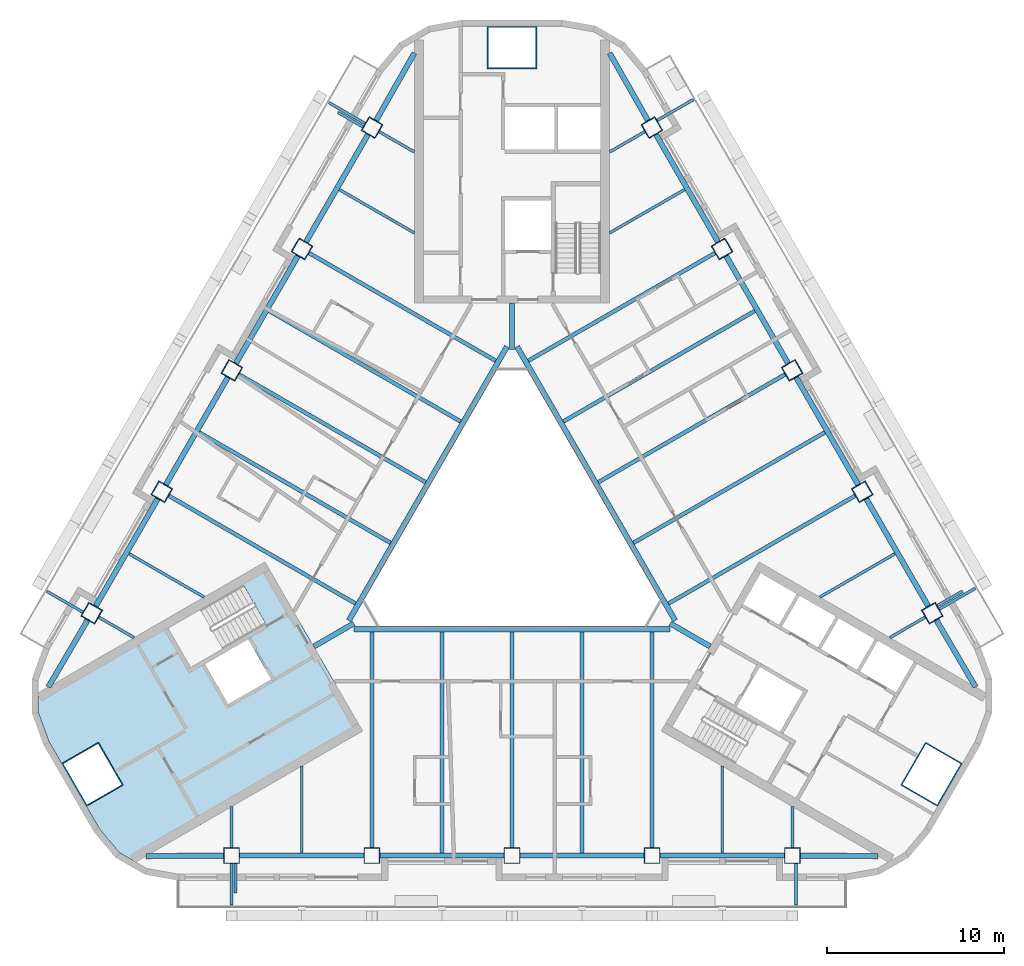
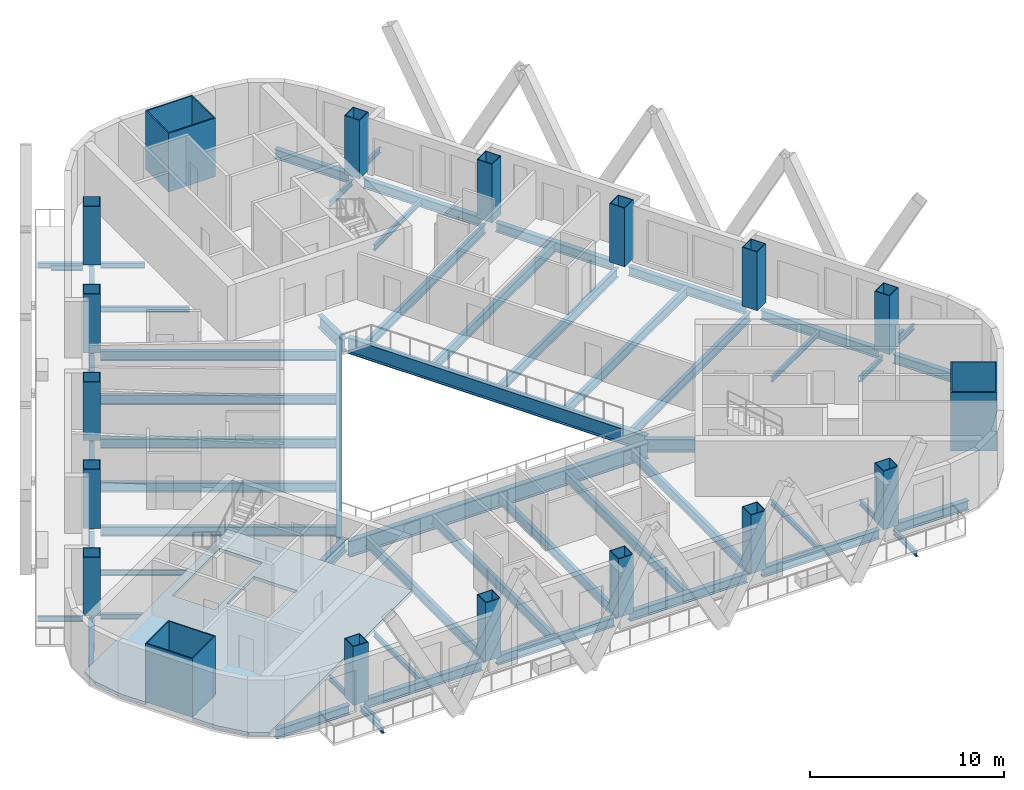
# One storey, part 1 of 14: 60 beams, 18 columns, 1 slab.
"""IFC4 building model written with IfcOpenShell, lengths in metres."""

import ifcopenshell
import ifcopenshell.guid

model = None  # the IFC model being written
_history = None  # IfcOwnerHistory: only IFC2X3 demands one
_inside = {}  # id of a spatial element -> (the spatial element, [elements in it])
_under = {}  # id of a project, library or spatial element -> (it, [spatial elements below it])
_declared = {}  # id of a project -> (the project, [libraries it declares])
_typed = {}  # id of a type object -> (the type object, [elements of that type])
_made_of = {}  # id of a material, layer set ... -> (it, [elements and type objects made of it])


def new_model(schema):
    """Start an empty IFC model of exactly this schema.

    Asked for "IFC4X3", IfcOpenShell would pick the latest addendum, in which some entities
    have other attributes; the version numbers below select the first issue.
    IFC2X3 requires an IfcOwnerHistory on every rooted entity: one is made here for all.
    """
    global model, _history
    if schema == "IFC4X3":
        model = ifcopenshell.file(schema_version=(4, 3, 0, 0))
    else:
        model = ifcopenshell.file(schema=schema)
    _inside.clear()
    _under.clear()
    _declared.clear()
    _typed.clear()
    _made_of.clear()
    _history = None
    if model.schema == "IFC2X3":
        org = make("IfcOrganization", Name="unknown")
        user = make(
            "IfcPersonAndOrganization",
            ThePerson=make("IfcPerson", FamilyName="unknown"),
            TheOrganization=org,
        )
        app = make(
            "IfcApplication",
            ApplicationDeveloper=org,
            Version="unknown",
            ApplicationFullName="unknown",
            ApplicationIdentifier="unknown",
        )
        _history = make(
            "IfcOwnerHistory",
            OwningUser=user,
            OwningApplication=app,
            ChangeAction="ADDED",
            CreationDate=0,
        )
    return model


def make(cls, **values):
    """One entity of the class cls with the attributes given. An attribute that is None is left unset."""
    return model.create_entity(
        cls, **{name: value for name, value in values.items() if value is not None}
    )


def rooted(cls, **values):
    """An entity with a GlobalId (a new one), such as an element, a storey or a relation."""
    return make(cls, GlobalId=ifcopenshell.guid.new(), OwnerHistory=_history, **values)


def si_unit(unit_type, name, prefix=None):
    """IfcSIUnit, for example si_unit("LENGTHUNIT", "METRE", prefix="MILLI")."""
    return make("IfcSIUnit", UnitType=unit_type, Prefix=prefix, Name=name)


def assignment(units):
    """IfcUnitAssignment: the units of a project."""
    return None if units is None else make("IfcUnitAssignment", Units=units)


def point(xyz):
    """IfcCartesianPoint."""
    return None if xyz is None else make("IfcCartesianPoint", Coordinates=xyz)


def direction(xyz):
    """IfcDirection."""
    return None if xyz is None else make("IfcDirection", DirectionRatios=xyz)


def frame(location, z_axis=None, x_axis=None):
    """IfcAxis2Placement3D, a coordinate frame: its origin and axes. An axis left out is left unset."""
    return make(
        "IfcAxis2Placement3D",
        Location=point(location),
        Axis=direction(z_axis),
        RefDirection=direction(x_axis),
    )


def frame_2d(location, x_axis=None):
    """IfcAxis2Placement2D, a coordinate frame in the plane: its origin and x axis."""
    return make(
        "IfcAxis2Placement2D", Location=point(location), RefDirection=direction(x_axis)
    )


def origin():
    """The frame at (0, 0, 0) with its axes left unset."""
    return frame((0.0, 0.0, 0.0))


def origin_2d():
    """The frame at (0, 0) in the plane with its x axis left unset."""
    return frame_2d((0.0, 0.0))


def place(relative_to, where):
    """IfcLocalPlacement: puts the frame where relative to a parent placement (None: the world)."""
    return make(
        "IfcLocalPlacement", PlacementRelTo=relative_to, RelativePlacement=where
    )


def context(
    kind, dimensions, precision=None, world=None, true_north=None, identifier=None
):
    """IfcGeometricRepresentationContext, for example the 3D "Model" context."""
    return make(
        "IfcGeometricRepresentationContext",
        ContextIdentifier=identifier,
        ContextType=kind,
        CoordinateSpaceDimension=dimensions,
        Precision=precision,
        WorldCoordinateSystem=world,
        TrueNorth=true_north,
    )


def subcontext(parent, identifier, kind, view, scale=None):
    """IfcGeometricRepresentationSubContext, for example "Body" below "Model"."""
    return make(
        "IfcGeometricRepresentationSubContext",
        ContextIdentifier=identifier,
        ContextType=kind,
        ParentContext=parent,
        TargetScale=scale,
        TargetView=view,
    )


def project(units=None, contexts=None):
    """IfcProject with its units and contexts."""
    return rooted(
        "IfcProject",
        Name="project",
        RepresentationContexts=contexts,
        UnitsInContext=assignment(units),
    )


def spatial(cls, under=None, at=None, **own):
    """A site, building, storey or space (cls), placed at a placement, below another one or the project."""
    s = rooted(cls, ObjectPlacement=at, **own)
    if under is not None:
        _under.setdefault(under.id(), (under, []))[1].append(s)
    return s


def polyline(points):
    """IfcPolyline through the points."""
    return make("IfcPolyline", Points=[point(p) for p in points])


def profile(cls, at=None, kind="AREA", **sizes):
    """A parametric profile (cls). Its sizes go by their IFC names, for example OverallWidth=200.0."""
    return make(cls, ProfileType=kind, Position=at, **sizes)


def rectangle(**sizes):
    """IfcRectangleProfileDef."""
    return profile("IfcRectangleProfileDef", **sizes)


def hollow_rectangle(**sizes):
    """IfcRectangleHollowProfileDef."""
    return profile("IfcRectangleHollowProfileDef", **sizes)


def i_section(**sizes):
    """IfcIShapeProfileDef."""
    return profile("IfcIShapeProfileDef", **sizes)


def outline(outer, holes=None, kind="AREA"):
    """IfcArbitraryClosedProfileDef: a profile drawn as a closed curve; with holes, ...WithVoids."""
    if holes is None:
        return make("IfcArbitraryClosedProfileDef", ProfileType=kind, OuterCurve=outer)
    return make(
        "IfcArbitraryProfileDefWithVoids",
        ProfileType=kind,
        OuterCurve=outer,
        InnerCurves=holes,
    )


def extrude(swept, where, along, depth):
    """IfcExtrudedAreaSolid: the profile swept, set in the frame where, extruded along a direction by depth."""
    return make(
        "IfcExtrudedAreaSolid",
        SweptArea=swept,
        Position=where,
        ExtrudedDirection=direction(along),
        Depth=depth,
    )


def shape(context_of_items, identifier, shape_type, items):
    """IfcShapeRepresentation: the items that make up one representation, for example the "Body"."""
    return make(
        "IfcShapeRepresentation",
        ContextOfItems=context_of_items,
        RepresentationIdentifier=identifier,
        RepresentationType=shape_type,
        Items=items,
    )


def material(Name=None, Category=None):
    """IfcMaterial."""
    return make("IfcMaterial", Name=Name, Category=Category)


def layer(
    of_material, thickness, ventilated=None, Name=None, Category=None, Priority=None
):
    """IfcMaterialLayer: one layer of a wall or slab, of a material (None: an air gap)."""
    return make(
        "IfcMaterialLayer",
        Material=of_material,
        LayerThickness=thickness,
        IsVentilated=ventilated,
        Name=Name,
        Category=Category,
        Priority=Priority,
    )


def layer_set(layers, Name=None):
    """IfcMaterialLayerSet."""
    return make("IfcMaterialLayerSet", MaterialLayers=layers, LayerSetName=Name)


def material_profile(
    of_material, cross_section, Name=None, Category=None, Priority=None
):
    """IfcMaterialProfile: a cross section and its material."""
    return make(
        "IfcMaterialProfile",
        Name=Name,
        Material=of_material,
        Profile=cross_section,
        Priority=Priority,
        Category=Category,
    )


def profile_set(profiles, Name=None, composite=None):
    """IfcMaterialProfileSet."""
    return make(
        "IfcMaterialProfileSet",
        Name=Name,
        MaterialProfiles=profiles,
        CompositeProfile=composite,
    )


def made_of(thing, what):
    """Note that an element or type object is made of a material, layer set ...; save() writes the relation."""
    if what is not None:
        _made_of.setdefault(what.id(), (what, []))[1].append(thing)
    return thing


def type_object(cls, material=None, **own):
    """A type object (cls), such as IfcWallType, which elements share."""
    return made_of(rooted(cls, **own), material)


def element(
    cls,
    number,
    at=None,
    inside=None,
    cuts=None,
    type_object=None,
    material=None,
    context=None,
    identifier="Body",
    shape_type=None,
    held_by="IfcProductDefinitionShape",
    body=None,
    shapes=None,
    **own,
):
    """One element of the class cls, such as IfcWall. Its Tag is "e" and its number.

    at: its placement. inside: the storey or other place that contains it. cuts: it is an
    opening in that element (IfcRelVoidsElement). A single representation is given by context,
    identifier, shape_type and body (its items); several are given by shapes. held_by: the class
    of the entity that holds the representations. save() writes the other relations.
    """
    e = rooted(cls, Tag="e%d" % number, ObjectPlacement=at, **own)
    if body is not None:
        shapes = [shape(context, identifier, shape_type, body)]
    if shapes is not None:
        e.Representation = make(held_by, Representations=shapes)
    if inside is not None:
        _inside.setdefault(inside.id(), (inside, []))[1].append(e)
    if cuts is not None:
        rooted(
            "IfcRelVoidsElement", RelatingBuildingElement=cuts, RelatedOpeningElement=e
        )
    if type_object is not None:
        _typed.setdefault(type_object.id(), (type_object, []))[1].append(e)
    return made_of(e, material)


def aggregate(whole, parts):
    """IfcRelAggregates: a whole, such as a stair, and the parts it consists of."""
    return rooted("IfcRelAggregates", RelatingObject=whole, RelatedObjects=parts)


def save(model, path):
    """Write the relations noted so far, then the file.

    IfcRelAggregates (storeys below a building ...), IfcRelContainedInSpatialStructure (elements
    in a storey), IfcRelDefinesByType, IfcRelAssociatesMaterial and IfcRelDeclares: one each for
    every whole, place, type object, material and project.
    """
    for whole, parts in _under.values():
        aggregate(whole, parts)
    for where, things in _inside.values():
        rooted(
            "IfcRelContainedInSpatialStructure",
            RelatedElements=things,
            RelatingStructure=where,
        )
    for kind, things in _typed.values():
        rooted("IfcRelDefinesByType", RelatedObjects=things, RelatingType=kind)
    for what, things in _made_of.values():
        rooted("IfcRelAssociatesMaterial", RelatedObjects=things, RelatingMaterial=what)
    for by, libraries in _declared.values():
        rooted("IfcRelDeclares", RelatingContext=by, RelatedDefinitions=libraries)
    model.write(path)


model = new_model("IFC4")

# Units and contexts
model_context = context("Model", 3, precision=1e-05, world=origin(), true_north=direction((0.0, 1.0)))
body_context = subcontext(model_context, "Body", "Model", "MODEL_VIEW")
ifc_project = project(units=[si_unit("LENGTHUNIT", "METRE"), si_unit("AREAUNIT", "SQUARE_METRE"), si_unit("VOLUMEUNIT", "CUBIC_METRE"), si_unit("PLANEANGLEUNIT", "RADIAN"), si_unit("MASSUNIT", "GRAM", prefix="KILO")], contexts=[model_context])

# Site, building, storey
site_placement = place(None, origin())
site = spatial("IfcSite", under=ifc_project, at=site_placement, CompositionType="ELEMENT")
building_placement = place(site_placement, origin())
building = spatial("IfcBuilding", under=site, at=building_placement, Name="Apuvela Tower Hotel", CompositionType="ELEMENT")
storey_placement = place(building_placement, frame((0.0, 0.0, 98.300048828125)))
storey = spatial("IfcBuildingStorey", under=building, at=storey_placement, Name="L22", CompositionType="ELEMENT", Elevation=98.300048828125)

# Columns
ifc_material_1 = material(Name="Steel S460", Category="steel")
ifc_material_profile_1 = material_profile(ifc_material_1, hollow_rectangle(XDim=2.800048828125, YDim=2.39990234375, WallThickness=0.070068359375, at=origin_2d()), Name="BOX 2800x2400x70")
ifc_material_2 = material(Name="Concrete C80/95", Category="concrete")
ifc_material_profile_2 = material_profile(ifc_material_2, rectangle(XDim=2.659912109375, YDim=2.260009765625, at=origin_2d()), Name="Concrete C80/95 infill")
ifc_profile_set_1 = profile_set([ifc_material_profile_1, ifc_material_profile_2], Name="Steel S460")
column_type_1 = type_object("IfcColumnType", Name="STR-MC mega column BOX 2800x2400x70", PredefinedType="COLUMN", material=ifc_profile_set_1)
for number, where, z_axis, x_axis, name in (
    (1, (0.0, 27.300048828125, 0.0), (0.0, 0.0, 1.0), (1.0, 0.0, 0.0), "Mega column MC2 N"),
    (2, (-23.642578125, -13.64990234375, 0.0), (0.0, 0.0, 1.0), (-0.5, 0.866025403784, 0.0), "Mega column MC2 SW"),
    (3, (23.642578125, -13.64990234375, 0.0), (0.0, 0.0, 1.0), (0.5, 0.866025403784, 0.0), "Mega column MC2 SE"),
):
    element("IfcColumn", number, at=place(storey_placement, frame(where, z_axis=z_axis, x_axis=x_axis)), inside=storey, type_object=column_type_1, Name=name, PredefinedType="COLUMN", context=body_context, shape_type="SweptSolid", body=[
        extrude(hollow_rectangle(XDim=2.800048828125, YDim=2.39990234375, WallThickness=0.070068359375, at=origin_2d()), origin(), (0.0, 0.0, 1.0), 3.699951171875),
    ])
ifc_material_profile_3 = material_profile(ifc_material_1, hollow_rectangle(XDim=0.89990234375, YDim=0.89990234375, WallThickness=0.0400390625, at=origin_2d()), Name="BOX 900x900x40")
ifc_material_profile_4 = material_profile(ifc_material_2, rectangle(XDim=0.820068359375, YDim=0.820068359375, at=origin_2d()), Name="Concrete C80/95 infill")
ifc_profile_set_2 = profile_set([ifc_material_profile_3, ifc_material_profile_4], Name="Steel S460")
column_type_2 = type_object("IfcColumnType", Name="STR-PC perimeter column BOX 900x900x40", PredefinedType="COLUMN", material=ifc_profile_set_2)
for number, where, z_axis, x_axis, name in (
    (4, (-15.800048828125, -18.22998046875, 0.0), (0.0, 0.0, 1.0), (-1.0, 0.0, 0.0), "Perimeter column C3 S1"),
    (5, (-7.89990234375, -18.22998046875, 0.0), (0.0, 0.0, 1.0), (-1.0, 0.0, 0.0), "Perimeter column C3 S2"),
    (6, (0.0, -18.22998046875, 0.0), (0.0, 0.0, 1.0), (-1.0, 0.0, 0.0), "Perimeter column C3 S3"),
    (7, (7.89990234375, -18.22998046875, 0.0), (0.0, 0.0, 1.0), (-1.0, 0.0, 0.0), "Perimeter column C3 S4"),
    (8, (15.800048828125, -18.22998046875, 0.0), (0.0, 0.0, 1.0), (-1.0, 0.0, 0.0), "Perimeter column C3 S5"),
    (9, (23.6875, -4.568115234375, 0.0), (0.0, 0.0, 1.0), (-0.5, 0.866025403784, 0.0), "Perimeter column C3 NE1"),
    (10, (19.737548828125, 2.2734375, 0.0), (0.0, 0.0, 1.0), (-0.5, 0.866025403784, 0.0), "Perimeter column C3 NE2"),
    (11, (15.78759765625, 9.114990234375, 0.0), (0.0, 0.0, 1.0), (-0.5, 0.866025403784, 0.0), "Perimeter column C3 NE3"),
    (12, (11.837646484375, 15.95654296875, 0.0), (0.0, 0.0, 1.0), (-0.5, 0.866025403784, 0.0), "Perimeter column C3 NE4"),
    (13, (7.8876953125, 22.798095703125, 0.0), (0.0, 0.0, 1.0), (-0.5, 0.866025403784, 0.0), "Perimeter column C3 NE5"),
    (14, (-7.8876953125, 22.798095703125, 0.0), (0.0, 0.0, 1.0), (0.5, 0.866025403784, 0.0), "Perimeter column C3 NW1"),
    (15, (-11.837646484375, 15.95654296875, 0.0), (0.0, 0.0, 1.0), (0.5, 0.866025403784, 0.0), "Perimeter column C3 NW2"),
    (16, (-15.78759765625, 9.114990234375, 0.0), (0.0, 0.0, 1.0), (0.5, 0.866025403784, 0.0), "Perimeter column C3 NW3"),
    (17, (-19.737548828125, 2.2734375, 0.0), (0.0, 0.0, 1.0), (0.5, 0.866025403784, 0.0), "Perimeter column C3 NW4"),
    (18, (-23.6875, -4.568115234375, 0.0), (0.0, 0.0, 1.0), (0.5, 0.866025403784, 0.0), "Perimeter column C3 NW5"),
):
    element("IfcColumn", number, at=place(storey_placement, frame(where, z_axis=z_axis, x_axis=x_axis)), inside=storey, type_object=column_type_2, Name=name, PredefinedType="COLUMN", context=body_context, shape_type="SweptSolid", body=[
        extrude(hollow_rectangle(XDim=0.89990234375, YDim=0.89990234375, WallThickness=0.0400390625, at=origin_2d()), origin(), (0.0, 0.0, 1.0), 3.699951171875),
    ])

# Beams
ifc_material_3 = material(Name="Steel S355", Category="steel")
ifc_material_profile_5 = material_profile(ifc_material_3, i_section(OverallWidth=0.159912109375, OverallDepth=0.330078125, WebThickness=0.007568359375, FlangeThickness=0.011474609375, at=origin_2d()), Name="IPE 330")
ifc_profile_set_3 = profile_set([ifc_material_profile_5], Name="Steel S355")
beam_type_1 = type_object("IfcBeamType", Name="ENV-BALCONY-BEAM-IPE330", PredefinedType="BEAM", material=ifc_profile_set_3)
beam_1_placement = place(storey_placement, frame((-15.800048828125, -18.679931640625, -0.31494140625), z_axis=(0.0, -1.0, 0.0), x_axis=(1.0, 0.0, 0.0)))
element("IfcBeam", 19, at=beam_1_placement, inside=storey, type_object=beam_type_1, Name="Balcony cantilever beam S1 L22", PredefinedType="BEAM", context=body_context, shape_type="SweptSolid", body=[
    extrude(i_section(OverallWidth=0.159912109375, OverallDepth=0.330078125, WebThickness=0.007568359375, FlangeThickness=0.011474609375, at=origin_2d()), origin(), (0.0, 0.0, 1.0), 2.35009765625),
])
beam_2_placement = place(storey_placement, frame((-15.580078125, -18.679931640625, -0.31494140625), z_axis=(0.0, -1.0, 0.0), x_axis=(1.0, 0.0, 0.0)))
element("IfcBeam", 20, at=beam_2_placement, inside=storey, type_object=beam_type_1, Name="Balcony cantilever beam S2 L22", PredefinedType="BEAM", context=body_context, shape_type="SweptSolid", body=[
    extrude(i_section(OverallWidth=0.159912109375, OverallDepth=0.330078125, WebThickness=0.007568359375, FlangeThickness=0.011474609375, at=origin_2d()), origin(), (0.0, 0.0, 1.0), 1.650146484375),
])
for number, where, z_axis, x_axis, name in (
    (21, (16.0, -18.679931640625, -0.31494140625), (0.0, -1.0, 0.0), (1.0, 0.0, 0.0), "Balcony cantilever beam S3 L22"),
    (22, (24.077392578125, -4.34326171875, -0.31494140625), (0.866016039709, 0.500016218704, 0.0), (-0.500016218704, 0.866016039709, 0.0), "Balcony cantilever beam NE1 L22"),
):
    element("IfcBeam", number, at=place(storey_placement, frame(where, z_axis=z_axis, x_axis=x_axis)), inside=storey, type_object=beam_type_1, Name=name, PredefinedType="BEAM", context=body_context, shape_type="SweptSolid", body=[
        extrude(i_section(OverallWidth=0.159912109375, OverallDepth=0.330078125, WebThickness=0.007568359375, FlangeThickness=0.011474609375, at=origin_2d()), origin(), (0.0, 0.0, 1.0), 2.35009765625),
    ])
beam_3_placement = place(storey_placement, frame((23.96728515625, -4.152587890625, -0.31494140625), z_axis=(0.866040211805, 0.499974350878, 0.0), x_axis=(-0.499974350878, 0.866040211805, 0.0)))
element("IfcBeam", 23, at=beam_3_placement, inside=storey, type_object=beam_type_1, Name="Balcony cantilever beam NE2 L22", PredefinedType="BEAM", context=body_context, shape_type="SweptSolid", body=[
    extrude(i_section(OverallWidth=0.159912109375, OverallDepth=0.330078125, WebThickness=0.007568359375, FlangeThickness=0.011474609375, at=origin_2d()), origin(), (0.0, 0.0, 1.0), 1.64990234375),
])
beam_4_placement = place(storey_placement, frame((8.177490234375, 23.1962890625, -0.31494140625), z_axis=(0.865990062348, 0.500061208168, 0.0), x_axis=(-0.500061208168, 0.865990062348, 0.0)))
element("IfcBeam", 24, at=beam_4_placement, inside=storey, type_object=beam_type_1, Name="Balcony cantilever beam NE3 L22", PredefinedType="BEAM", context=body_context, shape_type="SweptSolid", body=[
    extrude(i_section(OverallWidth=0.159912109375, OverallDepth=0.330078125, WebThickness=0.007568359375, FlangeThickness=0.011474609375, at=origin_2d()), origin(), (0.0, 0.0, 1.0), 2.349853515625),
])
beam_5_placement = place(storey_placement, frame((-8.27734375, 23.023193359375, -0.31494140625), z_axis=(-0.866016039709, 0.500016218704, 0.0), x_axis=(-0.500016218704, -0.866016039709, 0.0)))
element("IfcBeam", 25, at=beam_5_placement, inside=storey, type_object=beam_type_1, Name="Balcony cantilever beam NW1 L22", PredefinedType="BEAM", context=body_context, shape_type="SweptSolid", body=[
    extrude(i_section(OverallWidth=0.159912109375, OverallDepth=0.330078125, WebThickness=0.007568359375, FlangeThickness=0.011474609375, at=origin_2d()), origin(), (0.0, 0.0, 1.0), 2.35009765625),
])
beam_6_placement = place(storey_placement, frame((-8.387451171875, 22.832763671875, -0.31494140625), z_axis=(-0.866040211805, 0.499974350878, 0.0), x_axis=(-0.499974350878, -0.866040211805, 0.0)))
element("IfcBeam", 26, at=beam_6_placement, inside=storey, type_object=beam_type_1, Name="Balcony cantilever beam NW2 L22", PredefinedType="BEAM", context=body_context, shape_type="SweptSolid", body=[
    extrude(i_section(OverallWidth=0.159912109375, OverallDepth=0.330078125, WebThickness=0.007568359375, FlangeThickness=0.011474609375, at=origin_2d()), origin(), (0.0, 0.0, 1.0), 1.64990234375),
])
beam_7_placement = place(storey_placement, frame((-24.177490234375, -4.516357421875, -0.31494140625), z_axis=(-0.865990062348, 0.500061208168, 0.0), x_axis=(-0.500061208168, -0.865990062348, 0.0)))
element("IfcBeam", 27, at=beam_7_placement, inside=storey, type_object=beam_type_1, Name="Balcony cantilever beam NW3 L22", PredefinedType="BEAM", context=body_context, shape_type="SweptSolid", body=[
    extrude(i_section(OverallWidth=0.159912109375, OverallDepth=0.330078125, WebThickness=0.007568359375, FlangeThickness=0.011474609375, at=origin_2d()), origin(), (0.0, 0.0, 1.0), 2.349853515625),
])
ifc_material_profile_6 = material_profile(ifc_material_3, i_section(OverallWidth=0.159912109375, OverallDepth=0.330078125, WebThickness=0.007568359375, FlangeThickness=0.011474609375, at=origin_2d()), Name="IPE 330")
ifc_profile_set_4 = profile_set([ifc_material_profile_6], Name="Steel S355")
beam_type_2 = type_object("IfcBeamType", Name="STR-B floor beam IPE 330", PredefinedType="BEAM", material=ifc_profile_set_4)
beam_8_placement = place(storey_placement, frame((23.2978515625, -4.793212890625, -0.31494140625), z_axis=(-0.866000531106, -0.500043078269, 0.0), x_axis=(0.500043078269, -0.866000531106, 0.0)))
element("IfcBeam", 28, at=beam_8_placement, inside=storey, type_object=beam_type_2, Name="Floor beam B1 NE1", PredefinedType="BEAM", context=body_context, shape_type="SweptSolid", body=[
    extrude(i_section(OverallWidth=0.159912109375, OverallDepth=0.330078125, WebThickness=0.007568359375, FlangeThickness=0.011474609375, at=origin_2d()), origin(), (0.0, 0.0, 1.0), 2.306884765625),
])
for number, where, z_axis, x_axis, name in (
    (29, (21.582763671875, -1.222412109375, -0.31494140625), (-0.866015056278, -0.500017921979, 0.0), (0.500017921979, -0.866015056278, 0.0), "Floor beam B1 NE2"),
    (30, (9.732666015625, 19.302490234375, -0.31494140625), (-0.866015056278, -0.500017921979, 0.0), (0.500017921979, -0.866015056278, 0.0), "Floor beam B1 NE8"),
):
    element("IfcBeam", number, at=place(storey_placement, frame(where, z_axis=z_axis, x_axis=x_axis)), inside=storey, type_object=beam_type_2, Name=name, PredefinedType="BEAM", context=body_context, shape_type="SweptSolid", body=[
        extrude(i_section(OverallWidth=0.159912109375, OverallDepth=0.330078125, WebThickness=0.007568359375, FlangeThickness=0.011474609375, at=origin_2d()), origin(), (0.0, 0.0, 1.0), 4.887451171875),
    ])
for number, where, z_axis, x_axis, name in (
    (31, (7.497802734375, 22.5732421875, -0.31494140625), (-0.866000531106, -0.500043078269, 0.0), (0.500043078269, -0.866000531106, 0.0), "Floor beam B1 NE9"),
    (32, (-7.497802734375, 22.5732421875, -0.31494140625), (0.866000531106, -0.500043078269, 0.0), (0.500043078269, 0.866000531106, 0.0), "Floor beam B1 NW1"),
):
    element("IfcBeam", number, at=place(storey_placement, frame(where, z_axis=z_axis, x_axis=x_axis)), inside=storey, type_object=beam_type_2, Name=name, PredefinedType="BEAM", context=body_context, shape_type="SweptSolid", body=[
        extrude(i_section(OverallWidth=0.159912109375, OverallDepth=0.330078125, WebThickness=0.007568359375, FlangeThickness=0.011474609375, at=origin_2d()), origin(), (0.0, 0.0, 1.0), 2.306884765625),
    ])
for number, where, z_axis, x_axis, name in (
    (33, (-9.732666015625, 19.302490234375, -0.31494140625), (0.866015056278, -0.500017921979, 0.0), (0.500017921979, 0.866015056278, 0.0), "Floor beam B1 NW2"),
    (34, (-21.582763671875, -1.222412109375, -0.31494140625), (0.866015056278, -0.500017921979, 0.0), (0.500017921979, 0.866015056278, 0.0), "Floor beam B1 NW8"),
):
    element("IfcBeam", number, at=place(storey_placement, frame(where, z_axis=z_axis, x_axis=x_axis)), inside=storey, type_object=beam_type_2, Name=name, PredefinedType="BEAM", context=body_context, shape_type="SweptSolid", body=[
        extrude(i_section(OverallWidth=0.159912109375, OverallDepth=0.330078125, WebThickness=0.007568359375, FlangeThickness=0.011474609375, at=origin_2d()), origin(), (0.0, 0.0, 1.0), 4.887451171875),
    ])
beam_9_placement = place(storey_placement, frame((-23.2978515625, -4.793212890625, -0.31494140625), z_axis=(0.866000531106, -0.500043078269, 0.0), x_axis=(0.500043078269, 0.866000531106, 0.0)))
element("IfcBeam", 35, at=beam_9_placement, inside=storey, type_object=beam_type_2, Name="Floor beam B1 NW9", PredefinedType="BEAM", context=body_context, shape_type="SweptSolid", body=[
    extrude(i_section(OverallWidth=0.159912109375, OverallDepth=0.330078125, WebThickness=0.007568359375, FlangeThickness=0.011474609375, at=origin_2d()), origin(), (0.0, 0.0, 1.0), 2.306884765625),
])
beam_10_placement = place(storey_placement, frame((-15.800048828125, -17.780029296875, -0.31494140625), z_axis=(0.0, 1.0, 0.0), x_axis=(-1.0, 0.0, 0.0)))
element("IfcBeam", 36, at=beam_10_placement, inside=storey, type_object=beam_type_2, Name="Floor beam B1 S1", PredefinedType="BEAM", context=body_context, shape_type="SweptSolid", body=[
    extrude(i_section(OverallWidth=0.159912109375, OverallDepth=0.330078125, WebThickness=0.007568359375, FlangeThickness=0.011474609375, at=origin_2d()), origin(), (0.0, 0.0, 1.0), 2.30712890625),
])
for number, where, z_axis, x_axis, name in (
    (37, (-11.85009765625, -18.080078125, -0.31494140625), (0.0, 1.0, 0.0), (-1.0, 0.0, 0.0), "Floor beam B1 S2"),
    (38, (11.85009765625, -18.080078125, -0.31494140625), (0.0, 1.0, 0.0), (-1.0, 0.0, 0.0), "Floor beam B1 S8"),
):
    element("IfcBeam", number, at=place(storey_placement, frame(where, z_axis=z_axis, x_axis=x_axis)), inside=storey, type_object=beam_type_2, Name=name, PredefinedType="BEAM", context=body_context, shape_type="SweptSolid", body=[
        extrude(i_section(OverallWidth=0.159912109375, OverallDepth=0.330078125, WebThickness=0.007568359375, FlangeThickness=0.011474609375, at=origin_2d()), origin(), (0.0, 0.0, 1.0), 4.8876953125),
    ])
beam_11_placement = place(storey_placement, frame((15.800048828125, -17.780029296875, -0.31494140625), z_axis=(0.0, 1.0, 0.0), x_axis=(-1.0, 0.0, 0.0)))
element("IfcBeam", 39, at=beam_11_placement, inside=storey, type_object=beam_type_2, Name="Floor beam B1 S9", PredefinedType="BEAM", context=body_context, shape_type="SweptSolid", body=[
    extrude(i_section(OverallWidth=0.159912109375, OverallDepth=0.330078125, WebThickness=0.007568359375, FlangeThickness=0.011474609375, at=origin_2d()), origin(), (0.0, 0.0, 1.0), 2.30712890625),
])
ifc_material_profile_7 = material_profile(ifc_material_3, i_section(OverallWidth=0.219970703125, OverallDepth=0.60009765625, WebThickness=0.011962890625, FlangeThickness=0.01904296875, at=origin_2d()), Name="IPE 600")
ifc_profile_set_5 = profile_set([ifc_material_profile_7], Name="Steel S355")
beam_type_3 = type_object("IfcBeamType", Name="STR-B floor beam IPE 600", PredefinedType="BEAM", material=ifc_profile_set_5)
beam_12_placement = place(storey_placement, frame((19.347900390625, 2.04833984375, -0.449951171875), z_axis=(-0.866028751965, -0.499994200737, 0.0), x_axis=(0.499994200737, -0.866028751965, 0.0)))
element("IfcBeam", 40, at=beam_12_placement, inside=storey, type_object=beam_type_3, Name="Floor beam B8 NE3", PredefinedType="BEAM", context=body_context, shape_type="SweptSolid", body=[
    extrude(i_section(OverallWidth=0.219970703125, OverallDepth=0.60009765625, WebThickness=0.011962890625, FlangeThickness=0.01904296875, at=origin_2d()), origin(), (0.0, 0.0, 1.0), 12.157958984375),
])
beam_13_placement = place(storey_placement, frame((17.6328125, 5.619140625, -0.449951171875), z_axis=(-0.866027636335, -0.499996133089, 0.0), x_axis=(0.499996133089, -0.866027636335, 0.0)))
element("IfcBeam", 41, at=beam_13_placement, inside=storey, type_object=beam_type_3, Name="Floor beam B8 NE4", PredefinedType="BEAM", context=body_context, shape_type="SweptSolid", body=[
    extrude(i_section(OverallWidth=0.219970703125, OverallDepth=0.60009765625, WebThickness=0.011962890625, FlangeThickness=0.01904296875, at=origin_2d()), origin(), (0.0, 0.0, 1.0), 12.4580078125),
])
beam_14_placement = place(storey_placement, frame((15.39794921875, 8.889892578125, -0.449951171875), z_axis=(-0.866028751965, -0.499994200737, 0.0), x_axis=(0.499994200737, -0.866028751965, 0.0)))
element("IfcBeam", 42, at=beam_14_placement, inside=storey, type_object=beam_type_3, Name="Floor beam B8 NE5", PredefinedType="BEAM", context=body_context, shape_type="SweptSolid", body=[
    extrude(i_section(OverallWidth=0.219970703125, OverallDepth=0.60009765625, WebThickness=0.011962890625, FlangeThickness=0.01904296875, at=origin_2d()), origin(), (0.0, 0.0, 1.0), 12.157958984375),
])
beam_15_placement = place(storey_placement, frame((13.6826171875, 12.460693359375, -0.449951171875), z_axis=(-0.866022737053, -0.500004618886, 0.0), x_axis=(0.500004618886, -0.866022737053, 0.0)))
element("IfcBeam", 43, at=beam_15_placement, inside=storey, type_object=beam_type_3, Name="Floor beam B8 NE6", PredefinedType="BEAM", context=body_context, shape_type="SweptSolid", body=[
    extrude(i_section(OverallWidth=0.219970703125, OverallDepth=0.60009765625, WebThickness=0.011962890625, FlangeThickness=0.01904296875, at=origin_2d()), origin(), (0.0, 0.0, 1.0), 12.4580078125),
])
for number, where, z_axis, x_axis, name in (
    (44, (11.447998046875, 15.731689453125, -0.449951171875), (-0.866025076934, -0.500000566121, 0.0), (0.500000566121, -0.866025076934, 0.0), "Floor beam B8 NE7"),
    (45, (-11.447998046875, 15.731689453125, -0.449951171875), (0.866025076934, -0.500000566121, 0.0), (0.500000566121, 0.866025076934, 0.0), "Floor beam B8 NW3"),
):
    element("IfcBeam", number, at=place(storey_placement, frame(where, z_axis=z_axis, x_axis=x_axis)), inside=storey, type_object=beam_type_3, Name=name, PredefinedType="BEAM", context=body_context, shape_type="SweptSolid", body=[
        extrude(i_section(OverallWidth=0.219970703125, OverallDepth=0.60009765625, WebThickness=0.011962890625, FlangeThickness=0.01904296875, at=origin_2d()), origin(), (0.0, 0.0, 1.0), 12.158203125),
    ])
beam_16_placement = place(storey_placement, frame((-13.6826171875, 12.460693359375, -0.449951171875), z_axis=(0.866022737053, -0.500004618886, 0.0), x_axis=(0.500004618886, 0.866022737053, 0.0)))
element("IfcBeam", 46, at=beam_16_placement, inside=storey, type_object=beam_type_3, Name="Floor beam B8 NW4", PredefinedType="BEAM", context=body_context, shape_type="SweptSolid", body=[
    extrude(i_section(OverallWidth=0.219970703125, OverallDepth=0.60009765625, WebThickness=0.011962890625, FlangeThickness=0.01904296875, at=origin_2d()), origin(), (0.0, 0.0, 1.0), 12.4580078125),
])
beam_17_placement = place(storey_placement, frame((-15.39794921875, 8.889892578125, -0.449951171875), z_axis=(0.866028751965, -0.499994200737, 0.0), x_axis=(0.499994200737, 0.866028751965, 0.0)))
element("IfcBeam", 47, at=beam_17_placement, inside=storey, type_object=beam_type_3, Name="Floor beam B8 NW5", PredefinedType="BEAM", context=body_context, shape_type="SweptSolid", body=[
    extrude(i_section(OverallWidth=0.219970703125, OverallDepth=0.60009765625, WebThickness=0.011962890625, FlangeThickness=0.01904296875, at=origin_2d()), origin(), (0.0, 0.0, 1.0), 12.157958984375),
])
beam_18_placement = place(storey_placement, frame((-17.6328125, 5.619140625, -0.449951171875), z_axis=(0.866027636335, -0.499996133089, 0.0), x_axis=(0.499996133089, 0.866027636335, 0.0)))
element("IfcBeam", 48, at=beam_18_placement, inside=storey, type_object=beam_type_3, Name="Floor beam B8 NW6", PredefinedType="BEAM", context=body_context, shape_type="SweptSolid", body=[
    extrude(i_section(OverallWidth=0.219970703125, OverallDepth=0.60009765625, WebThickness=0.011962890625, FlangeThickness=0.01904296875, at=origin_2d()), origin(), (0.0, 0.0, 1.0), 12.4580078125),
])
for number, where, z_axis, x_axis, name in (
    (49, (-19.347900390625, 2.04833984375, -0.449951171875), (0.866028751965, -0.499994200737, 0.0), (0.499994200737, 0.866028751965, 0.0), "Floor beam B8 NW7"),
    (50, (-7.89990234375, -17.780029296875, -0.449951171875), (0.0, 1.0, 0.0), (-1.0, 0.0, 0.0), "Floor beam B8 S3"),
):
    element("IfcBeam", number, at=place(storey_placement, frame(where, z_axis=z_axis, x_axis=x_axis)), inside=storey, type_object=beam_type_3, Name=name, PredefinedType="BEAM", context=body_context, shape_type="SweptSolid", body=[
        extrude(i_section(OverallWidth=0.219970703125, OverallDepth=0.60009765625, WebThickness=0.011962890625, FlangeThickness=0.01904296875, at=origin_2d()), origin(), (0.0, 0.0, 1.0), 12.157958984375),
    ])
beam_19_placement = place(storey_placement, frame((-3.949951171875, -18.080078125, -0.449951171875), z_axis=(0.0, 1.0, 0.0), x_axis=(-1.0, 0.0, 0.0)))
element("IfcBeam", 51, at=beam_19_placement, inside=storey, type_object=beam_type_3, Name="Floor beam B8 S4", PredefinedType="BEAM", context=body_context, shape_type="SweptSolid", body=[
    extrude(i_section(OverallWidth=0.219970703125, OverallDepth=0.60009765625, WebThickness=0.011962890625, FlangeThickness=0.01904296875, at=origin_2d()), origin(), (0.0, 0.0, 1.0), 12.4580078125),
])
beam_20_placement = place(storey_placement, frame((0.0, -17.780029296875, -0.449951171875), z_axis=(0.0, 1.0, 0.0), x_axis=(-1.0, 0.0, 0.0)))
element("IfcBeam", 52, at=beam_20_placement, inside=storey, type_object=beam_type_3, Name="Floor beam B8 S5", PredefinedType="BEAM", context=body_context, shape_type="SweptSolid", body=[
    extrude(i_section(OverallWidth=0.219970703125, OverallDepth=0.60009765625, WebThickness=0.011962890625, FlangeThickness=0.01904296875, at=origin_2d()), origin(), (0.0, 0.0, 1.0), 12.157958984375),
])
beam_21_placement = place(storey_placement, frame((3.949951171875, -18.080078125, -0.449951171875), z_axis=(0.0, 1.0, 0.0), x_axis=(-1.0, 0.0, 0.0)))
element("IfcBeam", 53, at=beam_21_placement, inside=storey, type_object=beam_type_3, Name="Floor beam B8 S6", PredefinedType="BEAM", context=body_context, shape_type="SweptSolid", body=[
    extrude(i_section(OverallWidth=0.219970703125, OverallDepth=0.60009765625, WebThickness=0.011962890625, FlangeThickness=0.01904296875, at=origin_2d()), origin(), (0.0, 0.0, 1.0), 12.4580078125),
])
beam_22_placement = place(storey_placement, frame((7.89990234375, -17.780029296875, -0.449951171875), z_axis=(0.0, 1.0, 0.0), x_axis=(-1.0, 0.0, 0.0)))
element("IfcBeam", 54, at=beam_22_placement, inside=storey, type_object=beam_type_3, Name="Floor beam B8 S7", PredefinedType="BEAM", context=body_context, shape_type="SweptSolid", body=[
    extrude(i_section(OverallWidth=0.219970703125, OverallDepth=0.60009765625, WebThickness=0.011962890625, FlangeThickness=0.01904296875, at=origin_2d()), origin(), (0.0, 0.0, 1.0), 12.157958984375),
])
ifc_material_profile_8 = material_profile(ifc_material_3, i_section(OverallWidth=0.302001953125, OverallDepth=1.008056640625, WebThickness=0.02099609375, FlangeThickness=0.0400390625, at=origin_2d()), Name="HE 1000 M")
ifc_profile_set_6 = profile_set([ifc_material_profile_8], Name="Steel S355")
beam_type_4 = type_object("IfcBeamType", Name="STR-G atrium ring girder HE 1000 M", PredefinedType="BEAM", material=ifc_profile_set_6)
for number, where, z_axis, x_axis, name in (
    (55, (-0.28076171875, 10.455810546875, -0.654052734375), (-0.500000611842, -0.866025050537, 0.0), (0.866025050537, -0.500000611842, 0.0), "Atrium ring girder G1 N-SW"),
    (56, (-8.91455078125, -5.470947265625, -0.654052734375), (1.0, 0.0, 0.0), (0.0, 1.0, 0.0), "Atrium ring girder G1 SW-SE"),
    (57, (9.1953125, -4.984619140625, -0.654052734375), (-0.500000611842, 0.866025050537, 0.0), (-0.866025050537, -0.500000611842, 0.0), "Atrium ring girder G1 SE-N"),
):
    element("IfcBeam", number, at=place(storey_placement, frame(where, z_axis=z_axis, x_axis=x_axis)), inside=storey, type_object=beam_type_4, Name=name, PredefinedType="BEAM", context=body_context, shape_type="SweptSolid", body=[
        extrude(i_section(OverallWidth=0.302001953125, OverallDepth=1.008056640625, WebThickness=0.02099609375, FlangeThickness=0.0400390625, at=origin_2d()), origin(), (0.0, 0.0, 1.0), 17.8291015625),
    ])
ifc_material_profile_9 = material_profile(ifc_material_3, i_section(OverallWidth=0.300048828125, OverallDepth=0.800048828125, WebThickness=0.017578125, FlangeThickness=0.032958984375, at=origin_2d()), Name="HE 800 B")
ifc_profile_set_7 = profile_set([ifc_material_profile_9], Name="Steel S355")
beam_type_5 = type_object("IfcBeamType", Name="STR-GT core tie beam HE 800 B", PredefinedType="BEAM", material=ifc_profile_set_7)
for number, where, z_axis, x_axis, name in (
    (58, (0.0, 12.89990234375, -0.550048828125), (0.0, -1.0, 0.0), (1.0, 0.0, 0.0), "Core tie beam GT1 N"),
    (59, (-11.171630859375, -6.449951171875, -0.550048828125), (0.865997922154, 0.500047596559, 0.0), (-0.500047596559, 0.865997922154, 0.0), "Core tie beam GT1 SW"),
    (60, (11.171630859375, -6.449951171875, -0.550048828125), (-0.865997922154, 0.500047596559, 0.0), (-0.500047596559, -0.865997922154, 0.0), "Core tie beam GT1 SE"),
):
    element("IfcBeam", number, at=place(storey_placement, frame(where, z_axis=z_axis, x_axis=x_axis)), inside=storey, type_object=beam_type_5, Name=name, PredefinedType="BEAM", context=body_context, shape_type="SweptSolid", body=[
        extrude(i_section(OverallWidth=0.300048828125, OverallDepth=0.800048828125, WebThickness=0.017578125, FlangeThickness=0.032958984375, at=origin_2d()), origin(), (0.0, 0.0, 1.0), 2.599853515625),
    ])
ifc_material_profile_10 = material_profile(ifc_material_3, i_section(OverallWidth=0.300048828125, OverallDepth=0.590087890625, WebThickness=0.012939453125, FlangeThickness=0.02490234375, at=origin_2d()), Name="HE 600 A")
ifc_profile_set_8 = profile_set([ifc_material_profile_10], Name="Steel S355")
beam_type_6 = type_object("IfcBeamType", Name="STR-SB spandrel beam HE 600 A", PredefinedType="SPANDREL", material=ifc_profile_set_8)
for number, where, z_axis, x_axis, name in (
    (61, (-15.35009765625, -18.22998046875, -0.445068359375), (1.0, 0.0, 0.0), (0.0, 1.0, 0.0), "Spandrel beam SB2 S1"),
    (62, (-7.449951171875, -18.22998046875, -0.445068359375), (1.0, 0.0, 0.0), (0.0, 1.0, 0.0), "Spandrel beam SB2 S2"),
    (63, (0.449951171875, -18.22998046875, -0.445068359375), (1.0, 0.0, 0.0), (0.0, 1.0, 0.0), "Spandrel beam SB2 S3"),
    (64, (8.35009765625, -18.22998046875, -0.445068359375), (1.0, 0.0, 0.0), (0.0, 1.0, 0.0), "Spandrel beam SB2 S4"),
    (65, (23.462646484375, -4.178466796875, -0.445068359375), (-0.499995173006, 0.866028190633, 0.0), (-0.866028190633, -0.499995173006, 0.0), "Spandrel beam SB2 NE1"),
    (66, (19.5126953125, 2.6630859375, -0.445068359375), (-0.499995173006, 0.866028190633, 0.0), (-0.866028190633, -0.499995173006, 0.0), "Spandrel beam SB2 NE2"),
    (67, (15.5625, 9.504638671875, -0.445068359375), (-0.499995173006, 0.866028190633, 0.0), (-0.866028190633, -0.499995173006, 0.0), "Spandrel beam SB2 NE3"),
    (68, (11.612548828125, 16.34619140625, -0.445068359375), (-0.499995173006, 0.866028190633, 0.0), (-0.866028190633, -0.499995173006, 0.0), "Spandrel beam SB2 NE4"),
    (69, (-8.112548828125, 22.408447265625, -0.445068359375), (-0.499995173006, -0.866028190633, 0.0), (0.866028190633, -0.499995173006, 0.0), "Spandrel beam SB2 NW1"),
    (70, (-12.0625, 15.56689453125, -0.445068359375), (-0.499995173006, -0.866028190633, 0.0), (0.866028190633, -0.499995173006, 0.0), "Spandrel beam SB2 NW2"),
    (71, (-16.0126953125, 8.725341796875, -0.445068359375), (-0.499995173006, -0.866028190633, 0.0), (0.866028190633, -0.499995173006, 0.0), "Spandrel beam SB2 NW3"),
    (72, (-19.962646484375, 1.8837890625, -0.445068359375), (-0.499995173006, -0.866028190633, 0.0), (0.866028190633, -0.499995173006, 0.0), "Spandrel beam SB2 NW4"),
):
    element("IfcBeam", number, at=place(storey_placement, frame(where, z_axis=z_axis, x_axis=x_axis)), inside=storey, type_object=beam_type_6, Name=name, PredefinedType="SPANDREL", context=body_context, shape_type="SweptSolid", body=[
        extrude(i_section(OverallWidth=0.300048828125, OverallDepth=0.590087890625, WebThickness=0.012939453125, FlangeThickness=0.02490234375, at=origin_2d()), origin(), (0.0, 0.0, 1.0), 7.0),
    ])
for number, where, z_axis, x_axis, name in (
    (73, (-16.25, -18.233154296875, -0.445068359375), (-0.999976528586, -0.006851443461, 0.0), (0.006851443461, -0.999976528586, 0.0), "Spandrel beam SB2 S1-SW"),
    (74, (16.25, -18.233154296875, -0.445068359375), (0.999976528586, -0.006851443461, 0.0), (0.006851443461, 0.999976528586, 0.0), "Spandrel beam SB2 S5-SE"),
    (75, (23.915283203125, -4.956298828125, -0.445068359375), (0.505951068275, -0.862562181244, 0.0), (0.862562181244, 0.505951068275, 0.0), "Spandrel beam SB2 NE1-SE"),
    (76, (7.665283203125, 23.189453125, -0.445068359375), (-0.494043860968, 0.869436980718, 0.0), (-0.869436980718, -0.494043860968, 0.0), "Spandrel beam SB2 NE5-N"),
    (77, (-7.665283203125, 23.189453125, -0.445068359375), (0.494043860968, 0.869436980718, 0.0), (-0.869436980718, 0.494043860968, 0.0), "Spandrel beam SB2 NW1-N"),
    (78, (-23.915283203125, -4.956298828125, -0.445068359375), (-0.505951068275, -0.862562181244, 0.0), (0.862562181244, -0.505951068275, 0.0), "Spandrel beam SB2 NW5-SW"),
):
    element("IfcBeam", number, at=place(storey_placement, frame(where, z_axis=z_axis, x_axis=x_axis)), inside=storey, type_object=beam_type_6, Name=name, PredefinedType="SPANDREL", context=body_context, shape_type="SweptSolid", body=[
        extrude(i_section(OverallWidth=0.300048828125, OverallDepth=0.590087890625, WebThickness=0.012939453125, FlangeThickness=0.02490234375, at=origin_2d()), origin(), (0.0, 0.0, 1.0), 4.3828125),
    ])

# Slab
ifc_material_4 = material(Name="Concrete C50/60", Category="concrete")
ifc_layer = layer(ifc_material_4, 0.199951171875)
ifc_layer_set = layer_set([ifc_layer], Name="COR-FLOOR-200")
slab_type = type_object("IfcSlabType", Name="COR-FLOOR-200", PredefinedType="FLOOR", material=ifc_layer_set)
slab_placement = place(storey_placement, frame((0.0, 0.0, -0.199951171875)))
element("IfcSlab", 79, at=slab_placement, inside=storey, type_object=slab_type, Name="Core floor SW", PredefinedType="FLOOR", context=body_context, shape_type="SweptSolid", body=[
    extrude(outline(polyline([(-26.711181640625, -9.07080078125), (-26.711181640625, -10.123291015625), (-26.109375, -11.77734375), (-25.381591796875, -13.03759765625), (-23.30322265625, -11.837646484375), (-21.9033203125, -14.262451171875), (-23.981689453125, -15.46240234375), (-23.254150390625, -16.72265625), (-22.122802734375, -18.071044921875), (-21.211181640625, -18.59716796875), (-8.421630859375, -11.213134765625), (-13.921630859375, -1.68701171875), (-26.711181640625, -9.07080078125)]), holes=[polyline([(-13.874267578125, -5.18115234375), (-18.112548828125, -7.628173828125), (-19.387451171875, -5.419921875), (-15.149169921875, -2.972900390625), (-13.874267578125, -5.18115234375)]), polyline([(-13.56982421875, -8.29638671875), (-15.99462890625, -9.6962890625), (-17.294677734375, -7.444580078125), (-14.869873046875, -6.044677734375), (-13.56982421875, -8.29638671875)])]), origin(), (0.0, 0.0, 1.0), 0.199951171875),
])

save(model, "model.ifc")
